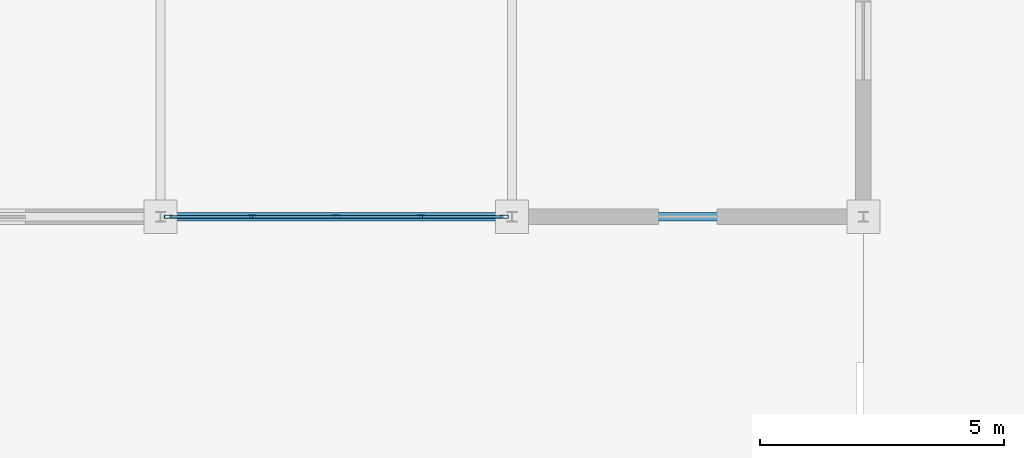
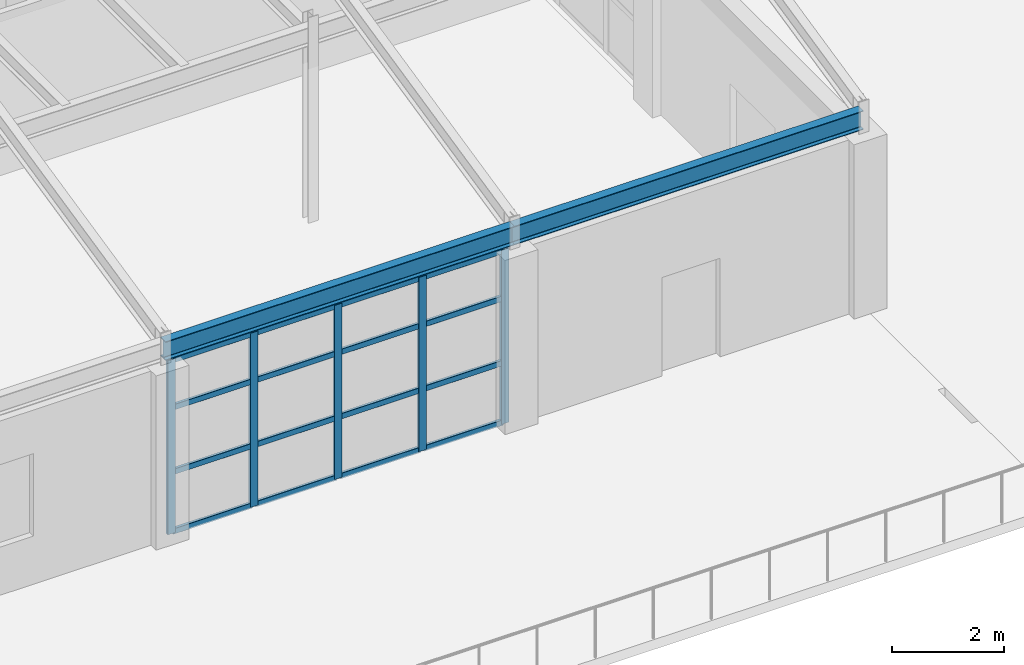
# One storey, part 62 of 101: 21 members, 2 beams, 1 element without a shape of its own.
"""IFC4 building model written with IfcOpenShell, lengths in metres."""

import ifcopenshell
import ifcopenshell.guid

model = None  # the IFC model being written
_history = None  # IfcOwnerHistory: only IFC2X3 demands one
_inside = {}  # id of a spatial element -> (the spatial element, [elements in it])
_under = {}  # id of a project, library or spatial element -> (it, [spatial elements below it])
_declared = {}  # id of a project -> (the project, [libraries it declares])
_typed = {}  # id of a type object -> (the type object, [elements of that type])
_made_of = {}  # id of a material, layer set ... -> (it, [elements and type objects made of it])


def new_model(schema):
    """Start an empty IFC model of exactly this schema.

    Asked for "IFC4X3", IfcOpenShell would pick the latest addendum, in which some entities
    have other attributes; the version numbers below select the first issue.
    IFC2X3 requires an IfcOwnerHistory on every rooted entity: one is made here for all.
    """
    global model, _history
    if schema == "IFC4X3":
        model = ifcopenshell.file(schema_version=(4, 3, 0, 0))
    else:
        model = ifcopenshell.file(schema=schema)
    _inside.clear()
    _under.clear()
    _declared.clear()
    _typed.clear()
    _made_of.clear()
    _history = None
    if model.schema == "IFC2X3":
        org = make("IfcOrganization", Name="unknown")
        user = make(
            "IfcPersonAndOrganization",
            ThePerson=make("IfcPerson", FamilyName="unknown"),
            TheOrganization=org,
        )
        app = make(
            "IfcApplication",
            ApplicationDeveloper=org,
            Version="unknown",
            ApplicationFullName="unknown",
            ApplicationIdentifier="unknown",
        )
        _history = make(
            "IfcOwnerHistory",
            OwningUser=user,
            OwningApplication=app,
            ChangeAction="ADDED",
            CreationDate=0,
        )
    return model


def make(cls, **values):
    """One entity of the class cls with the attributes given. An attribute that is None is left unset."""
    return model.create_entity(
        cls, **{name: value for name, value in values.items() if value is not None}
    )


def rooted(cls, **values):
    """An entity with a GlobalId (a new one), such as an element, a storey or a relation."""
    return make(cls, GlobalId=ifcopenshell.guid.new(), OwnerHistory=_history, **values)


def si_unit(unit_type, name, prefix=None):
    """IfcSIUnit, for example si_unit("LENGTHUNIT", "METRE", prefix="MILLI")."""
    return make("IfcSIUnit", UnitType=unit_type, Prefix=prefix, Name=name)


def assignment(units):
    """IfcUnitAssignment: the units of a project."""
    return None if units is None else make("IfcUnitAssignment", Units=units)


def point(xyz):
    """IfcCartesianPoint."""
    return None if xyz is None else make("IfcCartesianPoint", Coordinates=xyz)


def direction(xyz):
    """IfcDirection."""
    return None if xyz is None else make("IfcDirection", DirectionRatios=xyz)


def frame(location, z_axis=None, x_axis=None):
    """IfcAxis2Placement3D, a coordinate frame: its origin and axes. An axis left out is left unset."""
    return make(
        "IfcAxis2Placement3D",
        Location=point(location),
        Axis=direction(z_axis),
        RefDirection=direction(x_axis),
    )


def frame_2d(location, x_axis=None):
    """IfcAxis2Placement2D, a coordinate frame in the plane: its origin and x axis."""
    return make(
        "IfcAxis2Placement2D", Location=point(location), RefDirection=direction(x_axis)
    )


def origin():
    """The frame at (0, 0, 0) with its axes left unset."""
    return frame((0.0, 0.0, 0.0))


def origin_2d():
    """The frame at (0, 0) in the plane with its x axis left unset."""
    return frame_2d((0.0, 0.0))


def place(relative_to, where):
    """IfcLocalPlacement: puts the frame where relative to a parent placement (None: the world)."""
    return make(
        "IfcLocalPlacement", PlacementRelTo=relative_to, RelativePlacement=where
    )


def context(
    kind, dimensions, precision=None, world=None, true_north=None, identifier=None
):
    """IfcGeometricRepresentationContext, for example the 3D "Model" context."""
    return make(
        "IfcGeometricRepresentationContext",
        ContextIdentifier=identifier,
        ContextType=kind,
        CoordinateSpaceDimension=dimensions,
        Precision=precision,
        WorldCoordinateSystem=world,
        TrueNorth=true_north,
    )


def subcontext(parent, identifier, kind, view, scale=None):
    """IfcGeometricRepresentationSubContext, for example "Body" below "Model"."""
    return make(
        "IfcGeometricRepresentationSubContext",
        ContextIdentifier=identifier,
        ContextType=kind,
        ParentContext=parent,
        TargetScale=scale,
        TargetView=view,
    )


def project(units=None, contexts=None):
    """IfcProject with its units and contexts."""
    return rooted(
        "IfcProject",
        Name="project",
        RepresentationContexts=contexts,
        UnitsInContext=assignment(units),
    )


def spatial(cls, under=None, at=None, **own):
    """A site, building, storey or space (cls), placed at a placement, below another one or the project."""
    s = rooted(cls, ObjectPlacement=at, **own)
    if under is not None:
        _under.setdefault(under.id(), (under, []))[1].append(s)
    return s


def profile(cls, at=None, kind="AREA", **sizes):
    """A parametric profile (cls). Its sizes go by their IFC names, for example OverallWidth=200.0."""
    return make(cls, ProfileType=kind, Position=at, **sizes)


def hollow_rectangle(**sizes):
    """IfcRectangleHollowProfileDef."""
    return profile("IfcRectangleHollowProfileDef", **sizes)


def i_section(**sizes):
    """IfcIShapeProfileDef."""
    return profile("IfcIShapeProfileDef", **sizes)


def extrude(swept, where, along, depth):
    """IfcExtrudedAreaSolid: the profile swept, set in the frame where, extruded along a direction by depth."""
    return make(
        "IfcExtrudedAreaSolid",
        SweptArea=swept,
        Position=where,
        ExtrudedDirection=direction(along),
        Depth=depth,
    )


def shape(context_of_items, identifier, shape_type, items):
    """IfcShapeRepresentation: the items that make up one representation, for example the "Body"."""
    return make(
        "IfcShapeRepresentation",
        ContextOfItems=context_of_items,
        RepresentationIdentifier=identifier,
        RepresentationType=shape_type,
        Items=items,
    )


def material(Name=None, Category=None):
    """IfcMaterial."""
    return make("IfcMaterial", Name=Name, Category=Category)


def layer(
    of_material, thickness, ventilated=None, Name=None, Category=None, Priority=None
):
    """IfcMaterialLayer: one layer of a wall or slab, of a material (None: an air gap)."""
    return make(
        "IfcMaterialLayer",
        Material=of_material,
        LayerThickness=thickness,
        IsVentilated=ventilated,
        Name=Name,
        Category=Category,
        Priority=Priority,
    )


def layer_set(layers, Name=None):
    """IfcMaterialLayerSet."""
    return make("IfcMaterialLayerSet", MaterialLayers=layers, LayerSetName=Name)


def material_profile(
    of_material, cross_section, Name=None, Category=None, Priority=None
):
    """IfcMaterialProfile: a cross section and its material."""
    return make(
        "IfcMaterialProfile",
        Name=Name,
        Material=of_material,
        Profile=cross_section,
        Priority=Priority,
        Category=Category,
    )


def profile_set(profiles, Name=None, composite=None):
    """IfcMaterialProfileSet."""
    return make(
        "IfcMaterialProfileSet",
        Name=Name,
        MaterialProfiles=profiles,
        CompositeProfile=composite,
    )


def made_of(thing, what):
    """Note that an element or type object is made of a material, layer set ...; save() writes the relation."""
    if what is not None:
        _made_of.setdefault(what.id(), (what, []))[1].append(thing)
    return thing


def type_object(cls, material=None, **own):
    """A type object (cls), such as IfcWallType, which elements share."""
    return made_of(rooted(cls, **own), material)


def element(
    cls,
    number,
    at=None,
    inside=None,
    cuts=None,
    type_object=None,
    material=None,
    context=None,
    identifier="Body",
    shape_type=None,
    held_by="IfcProductDefinitionShape",
    body=None,
    shapes=None,
    **own,
):
    """One element of the class cls, such as IfcWall. Its Tag is "e" and its number.

    at: its placement. inside: the storey or other place that contains it. cuts: it is an
    opening in that element (IfcRelVoidsElement). A single representation is given by context,
    identifier, shape_type and body (its items); several are given by shapes. held_by: the class
    of the entity that holds the representations. save() writes the other relations.
    """
    e = rooted(cls, Tag="e%d" % number, ObjectPlacement=at, **own)
    if body is not None:
        shapes = [shape(context, identifier, shape_type, body)]
    if shapes is not None:
        e.Representation = make(held_by, Representations=shapes)
    if inside is not None:
        _inside.setdefault(inside.id(), (inside, []))[1].append(e)
    if cuts is not None:
        rooted(
            "IfcRelVoidsElement", RelatingBuildingElement=cuts, RelatedOpeningElement=e
        )
    if type_object is not None:
        _typed.setdefault(type_object.id(), (type_object, []))[1].append(e)
    return made_of(e, material)


def aggregate(whole, parts):
    """IfcRelAggregates: a whole, such as a stair, and the parts it consists of."""
    return rooted("IfcRelAggregates", RelatingObject=whole, RelatedObjects=parts)


def save(model, path):
    """Write the relations noted so far, then the file.

    IfcRelAggregates (storeys below a building ...), IfcRelContainedInSpatialStructure (elements
    in a storey), IfcRelDefinesByType, IfcRelAssociatesMaterial and IfcRelDeclares: one each for
    every whole, place, type object, material and project.
    """
    for whole, parts in _under.values():
        aggregate(whole, parts)
    for where, things in _inside.values():
        rooted(
            "IfcRelContainedInSpatialStructure",
            RelatedElements=things,
            RelatingStructure=where,
        )
    for kind, things in _typed.values():
        rooted("IfcRelDefinesByType", RelatedObjects=things, RelatingType=kind)
    for what, things in _made_of.values():
        rooted("IfcRelAssociatesMaterial", RelatedObjects=things, RelatingMaterial=what)
    for by, libraries in _declared.values():
        rooted("IfcRelDeclares", RelatingContext=by, RelatedDefinitions=libraries)
    model.write(path)


model = new_model("IFC4")

# Units and contexts
model_context = context("Model", 3, precision=1e-05, world=origin(), true_north=direction((0.0, 1.0)))
body_context = subcontext(model_context, "Body", "Model", "MODEL_VIEW")
ifc_project = project(units=[si_unit("LENGTHUNIT", "METRE"), si_unit("AREAUNIT", "SQUARE_METRE"), si_unit("VOLUMEUNIT", "CUBIC_METRE"), si_unit("PLANEANGLEUNIT", "RADIAN"), si_unit("MASSUNIT", "GRAM", prefix="KILO")], contexts=[model_context])

# Site, building, storey
site_placement = place(None, origin())
site = spatial("IfcSite", under=ifc_project, at=site_placement, CompositionType="ELEMENT")
building_placement = place(site_placement, origin())
building = spatial("IfcBuilding", under=site, at=building_placement, Name="Kemerveld Promenade Tramway Depot", CompositionType="ELEMENT")
storey_placement = place(building_placement, frame((0.0, 0.0, 9.89990234375)))
storey = spatial("IfcBuildingStorey", under=building, at=storey_placement, Name="L02", CompositionType="ELEMENT", Elevation=9.89990234375)

# Beams
ifc_material_1 = material(Name="Steel S355", Category="steel")
ifc_material_profile_1 = material_profile(ifc_material_1, i_section(OverallWidth=0.1787109375, OverallDepth=0.409423828125, WebThickness=0.0087890625, FlangeThickness=0.014404296875, FilletRadius=0.01025390625, at=origin_2d()), Name="406x178x67 UB")
ifc_profile_set_1 = profile_set([ifc_material_profile_1], Name="Steel S355")
beam_type = type_object("IfcBeamType", Name="BM-G07", PredefinedType="BEAM", material=ifc_profile_set_1)
beam_1_placement = place(storey_placement, frame((115.199951171875, 7.199951171875, 4.0703125), z_axis=(1.0, 0.0, 0.0), x_axis=(0.0, 1.0, 0.0)))
element("IfcBeam", 1, at=beam_1_placement, inside=storey, type_object=beam_type, Name="BMX-L02-17-18-B", PredefinedType="BEAM", context=body_context, shape_type="SweptSolid", body=[
    extrude(i_section(OverallWidth=0.1787109375, OverallDepth=0.409423828125, WebThickness=0.0087890625, FlangeThickness=0.014404296875, FilletRadius=0.01025390625, at=origin_2d()), origin(), (0.0, 0.0, 1.0), 7.199951171875),
])
beam_2_placement = place(storey_placement, frame((122.39990234375, 7.199951171875, 4.0703125), z_axis=(1.0, 0.0, 0.0), x_axis=(0.0, 1.0, 0.0)))
element("IfcBeam", 2, at=beam_2_placement, inside=storey, type_object=beam_type, Name="BMX-L02-18-19-B", PredefinedType="BEAM", context=body_context, shape_type="SweptSolid", body=[
    extrude(i_section(OverallWidth=0.1787109375, OverallDepth=0.409423828125, WebThickness=0.0087890625, FlangeThickness=0.014404296875, FilletRadius=0.01025390625, at=origin_2d()), origin(), (0.0, 0.0, 1.0), 7.2001953125),
])

# Curtain wall, members
ifc_material_2 = material(Name="Bronze anodised aluminium and solar glass", Category="aluminium")
ifc_layer = layer(ifc_material_2, 0.159912109375)
ifc_layer_set = layer_set([ifc_layer], Name="CW-SYS-05")
curtain_wall_type = type_object("IfcCurtainWallType", Name="CW-SYS-05", PredefinedType="USERDEFINED", material=ifc_layer_set)
curtain_wall_placement = place(storey_placement, origin())
curtain_wall = element("IfcCurtainWall", 3, at=curtain_wall_placement, inside=storey, type_object=curtain_wall_type, Name="CW-L02-V4S-02", ObjectType="GLAZED_CURTAIN_WALL", PredefinedType="USERDEFINED")
ifc_material_3 = material(Name="Bronze anodised aluminium", Category="aluminium")
ifc_material_profile_2 = material_profile(ifc_material_3, hollow_rectangle(XDim=0.06494140625, YDim=0.159912109375, WallThickness=0.00390625, InnerFilletRadius=0.001953125, OuterFilletRadius=0.00390625, at=origin_2d()), Name="CW-MUL-160x65")
ifc_profile_set_2 = profile_set([ifc_material_profile_2], Name="Bronze anodised aluminium")
member_type_1 = type_object("IfcMemberType", Name="CW-MUL-A", PredefinedType="MULLION", material=ifc_profile_set_2)
member_1_placement = place(storey_placement, frame((122.24267578125, 7.199951171875, 0.0), z_axis=(0.0, 0.0, 1.0), x_axis=(0.0, -1.0, 0.0)))
member_1 = element("IfcMember", 4, at=member_1_placement, type_object=member_type_1, Name="CW05 mullion 1", PredefinedType="MULLION", context=body_context, shape_type="SweptSolid", body=[
    extrude(hollow_rectangle(XDim=0.06494140625, YDim=0.159912109375, WallThickness=0.00390625, InnerFilletRadius=0.001953125, OuterFilletRadius=0.00390625, at=origin_2d()), origin(), (0.0, 0.0, 1.0), 3.800048828125),
])
member_2_placement = place(storey_placement, frame((120.53759765625, 7.199951171875, 0.0), z_axis=(0.0, 0.0, 1.0), x_axis=(0.0, -1.0, 0.0)))
member_2 = element("IfcMember", 5, at=member_2_placement, type_object=member_type_1, Name="CW05 mullion 2", PredefinedType="MULLION", context=body_context, shape_type="SweptSolid", body=[
    extrude(hollow_rectangle(XDim=0.06494140625, YDim=0.159912109375, WallThickness=0.00390625, InnerFilletRadius=0.001953125, OuterFilletRadius=0.00390625, at=origin_2d()), origin(), (0.0, 0.0, 1.0), 3.800048828125),
])
member_3_placement = place(storey_placement, frame((118.800048828125, 7.199951171875, 0.0), z_axis=(0.0, 0.0, 1.0), x_axis=(0.0, -1.0, 0.0)))
member_3 = element("IfcMember", 6, at=member_3_placement, type_object=member_type_1, Name="CW05 mullion 3", PredefinedType="MULLION", context=body_context, shape_type="SweptSolid", body=[
    extrude(hollow_rectangle(XDim=0.06494140625, YDim=0.159912109375, WallThickness=0.00390625, InnerFilletRadius=0.001953125, OuterFilletRadius=0.00390625, at=origin_2d()), origin(), (0.0, 0.0, 1.0), 3.800048828125),
])
member_4_placement = place(storey_placement, frame((117.0625, 7.199951171875, 0.0), z_axis=(0.0, 0.0, 1.0), x_axis=(0.0, -1.0, 0.0)))
member_4 = element("IfcMember", 7, at=member_4_placement, type_object=member_type_1, Name="CW05 mullion 4", PredefinedType="MULLION", context=body_context, shape_type="SweptSolid", body=[
    extrude(hollow_rectangle(XDim=0.06494140625, YDim=0.159912109375, WallThickness=0.00390625, InnerFilletRadius=0.001953125, OuterFilletRadius=0.00390625, at=origin_2d()), origin(), (0.0, 0.0, 1.0), 3.800048828125),
])
member_5_placement = place(storey_placement, frame((115.357421875, 7.199951171875, 0.0), z_axis=(0.0, 0.0, 1.0), x_axis=(0.0, -1.0, 0.0)))
member_5 = element("IfcMember", 8, at=member_5_placement, type_object=member_type_1, Name="CW05 mullion 5", PredefinedType="MULLION", context=body_context, shape_type="SweptSolid", body=[
    extrude(hollow_rectangle(XDim=0.06494140625, YDim=0.159912109375, WallThickness=0.00390625, InnerFilletRadius=0.001953125, OuterFilletRadius=0.00390625, at=origin_2d()), origin(), (0.0, 0.0, 1.0), 3.800048828125),
])
ifc_material_profile_3 = material_profile(ifc_material_3, hollow_rectangle(XDim=0.06005859375, YDim=0.1201171875, WallThickness=0.00390625, InnerFilletRadius=0.001953125, OuterFilletRadius=0.00390625, at=origin_2d()), Name="CW-TRN-120x60")
ifc_profile_set_3 = profile_set([ifc_material_profile_3], Name="Bronze anodised aluminium")
member_type_2 = type_object("IfcMemberType", Name="CW-TRN-A", PredefinedType="USERDEFINED", material=ifc_profile_set_3)
member_6_placement = place(storey_placement, frame((122.210205078125, 7.199951171875, 0.030029296875), z_axis=(-1.0, 0.0, 0.0), x_axis=(0.0, -1.0, 0.0)))
member_6 = element("IfcMember", 9, at=member_6_placement, type_object=member_type_2, Name="CW05 transom 1.1", ObjectType="TRANSOM", PredefinedType="USERDEFINED", context=body_context, shape_type="SweptSolid", body=[
    extrude(hollow_rectangle(XDim=0.06005859375, YDim=0.1201171875, WallThickness=0.00390625, InnerFilletRadius=0.001953125, OuterFilletRadius=0.00390625, at=origin_2d()), origin(), (0.0, 0.0, 1.0), 1.64013671875),
])
member_7_placement = place(storey_placement, frame((122.210205078125, 7.199951171875, 1.330078125), z_axis=(-1.0, 0.0, 0.0), x_axis=(0.0, -1.0, 0.0)))
member_7 = element("IfcMember", 10, at=member_7_placement, type_object=member_type_2, Name="CW05 transom 1.2", ObjectType="TRANSOM", PredefinedType="USERDEFINED", context=body_context, shape_type="SweptSolid", body=[
    extrude(hollow_rectangle(XDim=0.06005859375, YDim=0.1201171875, WallThickness=0.00390625, InnerFilletRadius=0.001953125, OuterFilletRadius=0.00390625, at=origin_2d()), origin(), (0.0, 0.0, 1.0), 1.64013671875),
])
member_8_placement = place(storey_placement, frame((122.210205078125, 7.199951171875, 2.736083984375), z_axis=(-1.0, 0.0, 0.0), x_axis=(0.0, -1.0, 0.0)))
member_8 = element("IfcMember", 11, at=member_8_placement, type_object=member_type_2, Name="CW05 transom 1.3", ObjectType="TRANSOM", PredefinedType="USERDEFINED", context=body_context, shape_type="SweptSolid", body=[
    extrude(hollow_rectangle(XDim=0.06005859375, YDim=0.1201171875, WallThickness=0.00390625, InnerFilletRadius=0.001953125, OuterFilletRadius=0.00390625, at=origin_2d()), origin(), (0.0, 0.0, 1.0), 1.64013671875),
])
member_9_placement = place(storey_placement, frame((122.210205078125, 7.199951171875, 3.77001953125), z_axis=(-1.0, 0.0, 0.0), x_axis=(0.0, -1.0, 0.0)))
member_9 = element("IfcMember", 12, at=member_9_placement, type_object=member_type_2, Name="CW05 transom 1.4", ObjectType="TRANSOM", PredefinedType="USERDEFINED", context=body_context, shape_type="SweptSolid", body=[
    extrude(hollow_rectangle(XDim=0.06005859375, YDim=0.1201171875, WallThickness=0.00390625, InnerFilletRadius=0.001953125, OuterFilletRadius=0.00390625, at=origin_2d()), origin(), (0.0, 0.0, 1.0), 1.64013671875),
])
member_10_placement = place(storey_placement, frame((120.505126953125, 7.199951171875, 0.030029296875), z_axis=(-1.0, 0.0, 0.0), x_axis=(0.0, -1.0, 0.0)))
member_10 = element("IfcMember", 13, at=member_10_placement, type_object=member_type_2, Name="CW05 transom 2.1", ObjectType="TRANSOM", PredefinedType="USERDEFINED", context=body_context, shape_type="SweptSolid", body=[
    extrude(hollow_rectangle(XDim=0.06005859375, YDim=0.1201171875, WallThickness=0.00390625, InnerFilletRadius=0.001953125, OuterFilletRadius=0.00390625, at=origin_2d()), origin(), (0.0, 0.0, 1.0), 1.672607421875),
])
member_11_placement = place(storey_placement, frame((120.505126953125, 7.199951171875, 1.330078125), z_axis=(-1.0, 0.0, 0.0), x_axis=(0.0, -1.0, 0.0)))
member_11 = element("IfcMember", 14, at=member_11_placement, type_object=member_type_2, Name="CW05 transom 2.2", ObjectType="TRANSOM", PredefinedType="USERDEFINED", context=body_context, shape_type="SweptSolid", body=[
    extrude(hollow_rectangle(XDim=0.06005859375, YDim=0.1201171875, WallThickness=0.00390625, InnerFilletRadius=0.001953125, OuterFilletRadius=0.00390625, at=origin_2d()), origin(), (0.0, 0.0, 1.0), 1.672607421875),
])
member_12_placement = place(storey_placement, frame((120.505126953125, 7.199951171875, 2.736083984375), z_axis=(-1.0, 0.0, 0.0), x_axis=(0.0, -1.0, 0.0)))
member_12 = element("IfcMember", 15, at=member_12_placement, type_object=member_type_2, Name="CW05 transom 2.3", ObjectType="TRANSOM", PredefinedType="USERDEFINED", context=body_context, shape_type="SweptSolid", body=[
    extrude(hollow_rectangle(XDim=0.06005859375, YDim=0.1201171875, WallThickness=0.00390625, InnerFilletRadius=0.001953125, OuterFilletRadius=0.00390625, at=origin_2d()), origin(), (0.0, 0.0, 1.0), 1.672607421875),
])
member_13_placement = place(storey_placement, frame((120.505126953125, 7.199951171875, 3.77001953125), z_axis=(-1.0, 0.0, 0.0), x_axis=(0.0, -1.0, 0.0)))
member_13 = element("IfcMember", 16, at=member_13_placement, type_object=member_type_2, Name="CW05 transom 2.4", ObjectType="TRANSOM", PredefinedType="USERDEFINED", context=body_context, shape_type="SweptSolid", body=[
    extrude(hollow_rectangle(XDim=0.06005859375, YDim=0.1201171875, WallThickness=0.00390625, InnerFilletRadius=0.001953125, OuterFilletRadius=0.00390625, at=origin_2d()), origin(), (0.0, 0.0, 1.0), 1.672607421875),
])
member_14_placement = place(storey_placement, frame((118.767578125, 7.199951171875, 0.030029296875), z_axis=(-1.0, 0.0, 0.0), x_axis=(0.0, -1.0, 0.0)))
member_14 = element("IfcMember", 17, at=member_14_placement, type_object=member_type_2, Name="CW05 transom 3.1", ObjectType="TRANSOM", PredefinedType="USERDEFINED", context=body_context, shape_type="SweptSolid", body=[
    extrude(hollow_rectangle(XDim=0.06005859375, YDim=0.1201171875, WallThickness=0.00390625, InnerFilletRadius=0.001953125, OuterFilletRadius=0.00390625, at=origin_2d()), origin(), (0.0, 0.0, 1.0), 1.672607421875),
])
member_15_placement = place(storey_placement, frame((118.767578125, 7.199951171875, 1.330078125), z_axis=(-1.0, 0.0, 0.0), x_axis=(0.0, -1.0, 0.0)))
member_15 = element("IfcMember", 18, at=member_15_placement, type_object=member_type_2, Name="CW05 transom 3.2", ObjectType="TRANSOM", PredefinedType="USERDEFINED", context=body_context, shape_type="SweptSolid", body=[
    extrude(hollow_rectangle(XDim=0.06005859375, YDim=0.1201171875, WallThickness=0.00390625, InnerFilletRadius=0.001953125, OuterFilletRadius=0.00390625, at=origin_2d()), origin(), (0.0, 0.0, 1.0), 1.672607421875),
])
member_16_placement = place(storey_placement, frame((118.767578125, 7.199951171875, 2.736083984375), z_axis=(-1.0, 0.0, 0.0), x_axis=(0.0, -1.0, 0.0)))
member_16 = element("IfcMember", 19, at=member_16_placement, type_object=member_type_2, Name="CW05 transom 3.3", ObjectType="TRANSOM", PredefinedType="USERDEFINED", context=body_context, shape_type="SweptSolid", body=[
    extrude(hollow_rectangle(XDim=0.06005859375, YDim=0.1201171875, WallThickness=0.00390625, InnerFilletRadius=0.001953125, OuterFilletRadius=0.00390625, at=origin_2d()), origin(), (0.0, 0.0, 1.0), 1.672607421875),
])
member_17_placement = place(storey_placement, frame((118.767578125, 7.199951171875, 3.77001953125), z_axis=(-1.0, 0.0, 0.0), x_axis=(0.0, -1.0, 0.0)))
member_17 = element("IfcMember", 20, at=member_17_placement, type_object=member_type_2, Name="CW05 transom 3.4", ObjectType="TRANSOM", PredefinedType="USERDEFINED", context=body_context, shape_type="SweptSolid", body=[
    extrude(hollow_rectangle(XDim=0.06005859375, YDim=0.1201171875, WallThickness=0.00390625, InnerFilletRadius=0.001953125, OuterFilletRadius=0.00390625, at=origin_2d()), origin(), (0.0, 0.0, 1.0), 1.672607421875),
])
member_18_placement = place(storey_placement, frame((117.02978515625, 7.199951171875, 0.030029296875), z_axis=(-1.0, 0.0, 0.0), x_axis=(0.0, -1.0, 0.0)))
member_18 = element("IfcMember", 21, at=member_18_placement, type_object=member_type_2, Name="CW05 transom 4.1", ObjectType="TRANSOM", PredefinedType="USERDEFINED", context=body_context, shape_type="SweptSolid", body=[
    extrude(hollow_rectangle(XDim=0.06005859375, YDim=0.1201171875, WallThickness=0.00390625, InnerFilletRadius=0.001953125, OuterFilletRadius=0.00390625, at=origin_2d()), origin(), (0.0, 0.0, 1.0), 1.639892578125),
])
member_19_placement = place(storey_placement, frame((117.02978515625, 7.199951171875, 1.330078125), z_axis=(-1.0, 0.0, 0.0), x_axis=(0.0, -1.0, 0.0)))
member_19 = element("IfcMember", 22, at=member_19_placement, type_object=member_type_2, Name="CW05 transom 4.2", ObjectType="TRANSOM", PredefinedType="USERDEFINED", context=body_context, shape_type="SweptSolid", body=[
    extrude(hollow_rectangle(XDim=0.06005859375, YDim=0.1201171875, WallThickness=0.00390625, InnerFilletRadius=0.001953125, OuterFilletRadius=0.00390625, at=origin_2d()), origin(), (0.0, 0.0, 1.0), 1.639892578125),
])
member_20_placement = place(storey_placement, frame((117.02978515625, 7.199951171875, 2.736083984375), z_axis=(-1.0, 0.0, 0.0), x_axis=(0.0, -1.0, 0.0)))
member_20 = element("IfcMember", 23, at=member_20_placement, type_object=member_type_2, Name="CW05 transom 4.3", ObjectType="TRANSOM", PredefinedType="USERDEFINED", context=body_context, shape_type="SweptSolid", body=[
    extrude(hollow_rectangle(XDim=0.06005859375, YDim=0.1201171875, WallThickness=0.00390625, InnerFilletRadius=0.001953125, OuterFilletRadius=0.00390625, at=origin_2d()), origin(), (0.0, 0.0, 1.0), 1.639892578125),
])
member_21_placement = place(storey_placement, frame((117.02978515625, 7.199951171875, 3.77001953125), z_axis=(-1.0, 0.0, 0.0), x_axis=(0.0, -1.0, 0.0)))
member_21 = element("IfcMember", 24, at=member_21_placement, type_object=member_type_2, Name="CW05 transom 4.4", ObjectType="TRANSOM", PredefinedType="USERDEFINED", context=body_context, shape_type="SweptSolid", body=[
    extrude(hollow_rectangle(XDim=0.06005859375, YDim=0.1201171875, WallThickness=0.00390625, InnerFilletRadius=0.001953125, OuterFilletRadius=0.00390625, at=origin_2d()), origin(), (0.0, 0.0, 1.0), 1.639892578125),
])
aggregate(curtain_wall, [member_1, member_2, member_3, member_4, member_5, member_6, member_7, member_8, member_9, member_10, member_11, member_12, member_13, member_14, member_15, member_16, member_17, member_18, member_19, member_20, member_21])

save(model, "model.ifc")
